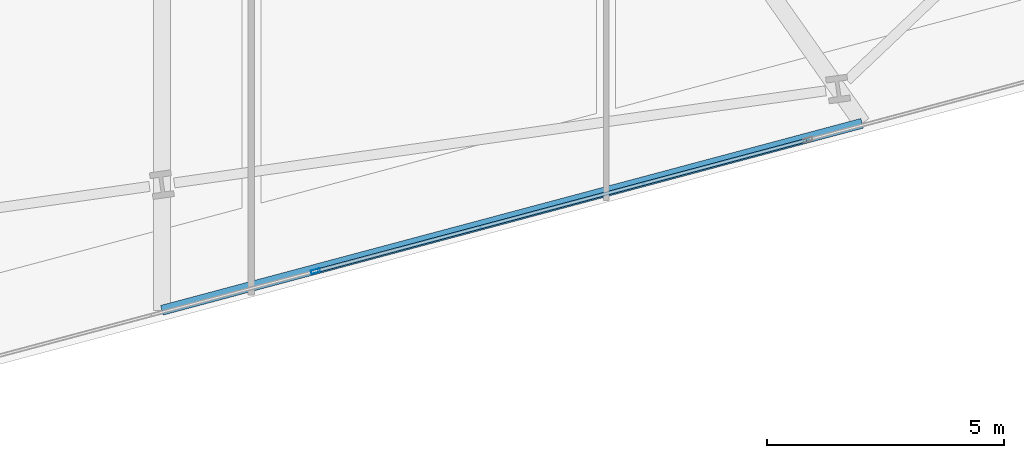
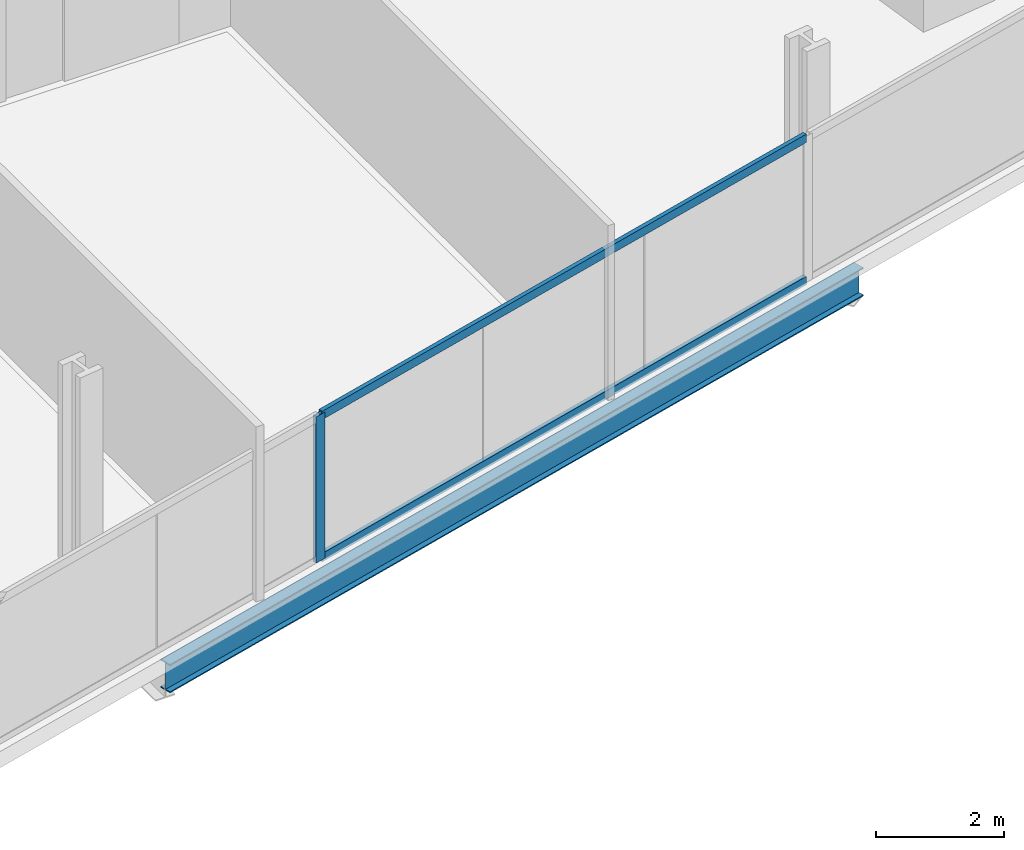
# One storey, part 7 of 33: 3 members, 1 beam, 1 element without a shape of its own.
"""IFC4 building model written with IfcOpenShell, lengths in metres."""

from ifc_helpers import new_model, si_unit, direction, frame, origin, origin_2d, place, context, subcontext, project, spatial, hollow_rectangle, i_section, extrude, material, material_profile, profile_set, type_object, element, aggregate, save


model = new_model("IFC4")

# Units and contexts
model_context = context("Model", 3, precision=1e-05, world=origin(), true_north=direction((0.0, 1.0)))
body_context = subcontext(model_context, "Body", "Model", "MODEL_VIEW")
ifc_project = project(units=[si_unit("LENGTHUNIT", "METRE"), si_unit("AREAUNIT", "SQUARE_METRE"), si_unit("VOLUMEUNIT", "CUBIC_METRE"), si_unit("PLANEANGLEUNIT", "RADIAN"), si_unit("MASSUNIT", "GRAM", prefix="KILO")], contexts=[model_context])

# Site, building, storey
site_placement = place(None, origin())
site = spatial("IfcSite", under=ifc_project, at=site_placement, CompositionType="ELEMENT")
building_placement = place(site_placement, origin())
building = spatial("IfcBuilding", under=site, at=building_placement, Name="Haldenkirk Collegiate Tower", CompositionType="ELEMENT")
storey_placement = place(building_placement, frame((0.0, 0.0, 77.699951171875)))
storey = spatial("IfcBuildingStorey", under=building, at=storey_placement, Name="L18", CompositionType="ELEMENT", Elevation=77.699951171875)

# Beam
ifc_material_1 = material(Name="Steel ASTM A992 Grade 50", Category="steel")
ifc_material_profile_1 = material_profile(ifc_material_1, i_section(OverallWidth=0.2119140625, OverallDepth=0.5439453125, WebThickness=0.01318359375, FlangeThickness=0.021240234375, at=origin_2d()), Name="W21X83")
ifc_profile_set_1 = profile_set([ifc_material_profile_1], Name="Steel ASTM A992 Grade 50")
beam_type = type_object("IfcBeamType", Name="BM-SPANDREL-W21X83", PredefinedType="SPANDREL", material=ifc_profile_set_1)
beam_placement = place(storey_placement, frame((39.10888671875, 1.363037109375, -0.58203125), z_axis=(0.966149725706, 0.257981990685, 0.0), x_axis=(-0.257981990685, 0.966149725706, 0.0)))
element("IfcBeam", 1, at=beam_placement, inside=storey, type_object=beam_type, Name="L18 outer facade edge beam 1", PredefinedType="SPANDREL", context=body_context, shape_type="SweptSolid", body=[
    extrude(i_section(OverallWidth=0.2119140625, OverallDepth=0.5439453125, WebThickness=0.01318359375, FlangeThickness=0.021240234375, at=origin_2d()), origin(), (0.0, 0.0, 1.0), 15.3212890625),
])

# Curtain wall, members
ifc_material_2 = material(Name="Anodised architectural bronze aluminium", Category="aluminium")
curtain_wall_type = type_object("IfcCurtainWallType", Name="CW-SYS2-CONCAVE", PredefinedType="USERDEFINED", material=ifc_material_2)
curtain_wall_placement = place(storey_placement, origin())
curtain_wall = element("IfcCurtainWall", 2, at=curtain_wall_placement, inside=storey, type_object=curtain_wall_type, Name="L18 South concave recessed bronze-anodised curtain wall", ObjectType="UNITISED CURTAIN WALL", PredefinedType="USERDEFINED")
ifc_material_profile_2 = material_profile(ifc_material_2, hollow_rectangle(XDim=0.074951171875, YDim=0.18994140625, WallThickness=0.0048828125, at=origin_2d()), Name="CW-MUL-02")
ifc_profile_set_2 = profile_set([ifc_material_profile_2], Name="Anodised architectural bronze aluminium")
member_type_1 = type_object("IfcMemberType", Name="CW-MUL-02", PredefinedType="MULLION", material=ifc_profile_set_2)
member_1_placement = place(storey_placement, frame((42.35791015625, 2.189208984375, 0.0), z_axis=(0.0, 0.0, 1.0), x_axis=(0.257976294663, -0.966151246644, 0.0)))
member_1 = element("IfcMember", 3, at=member_1_placement, type_object=member_type_1, Name="CW-02 mullion 3", PredefinedType="MULLION", context=body_context, shape_type="SweptSolid", body=[
    extrude(hollow_rectangle(XDim=0.074951171875, YDim=0.18994140625, WallThickness=0.0048828125, at=origin_2d()), origin(), (0.0, 0.0, 1.0), 2.791015625),
])
ifc_material_profile_3 = material_profile(ifc_material_2, hollow_rectangle(XDim=0.074951171875, YDim=0.159912109375, WallThickness=0.0048828125, at=origin_2d()), Name="CW-TRN-02")
ifc_profile_set_3 = profile_set([ifc_material_profile_3], Name="Anodised architectural bronze aluminium")
member_type_2 = type_object("IfcMemberType", Name="CW-TRN-02", PredefinedType="USERDEFINED", material=ifc_profile_set_3)
member_2_placement = place(storey_placement, frame((52.73193359375, 4.959228515625, 0.03759765625), z_axis=(-0.966153849625, -0.257966546001, 0.0), x_axis=(0.257966546001, -0.966153849625, 0.0)))
member_2 = element("IfcMember", 4, at=member_2_placement, type_object=member_type_2, Name="CW-02 transom 2.1", ObjectType="TRANSOM", PredefinedType="USERDEFINED", context=body_context, shape_type="SweptSolid", body=[
    extrude(hollow_rectangle(XDim=0.074951171875, YDim=0.159912109375, WallThickness=0.0048828125, at=origin_2d()), origin(), (0.0, 0.0, 1.0), 10.699951171875),
])
member_3_placement = place(storey_placement, frame((52.73193359375, 4.959228515625, 2.753662109375), z_axis=(-0.966153849625, -0.257966546001, 0.0), x_axis=(0.257966546001, -0.966153849625, 0.0)))
member_3 = element("IfcMember", 5, at=member_3_placement, type_object=member_type_2, Name="CW-02 transom 2.2", ObjectType="TRANSOM", PredefinedType="USERDEFINED", context=body_context, shape_type="SweptSolid", body=[
    extrude(hollow_rectangle(XDim=0.074951171875, YDim=0.159912109375, WallThickness=0.0048828125, at=origin_2d()), origin(), (0.0, 0.0, 1.0), 10.699951171875),
])
aggregate(curtain_wall, [member_1, member_2, member_3])

save(model, "model.ifc")
